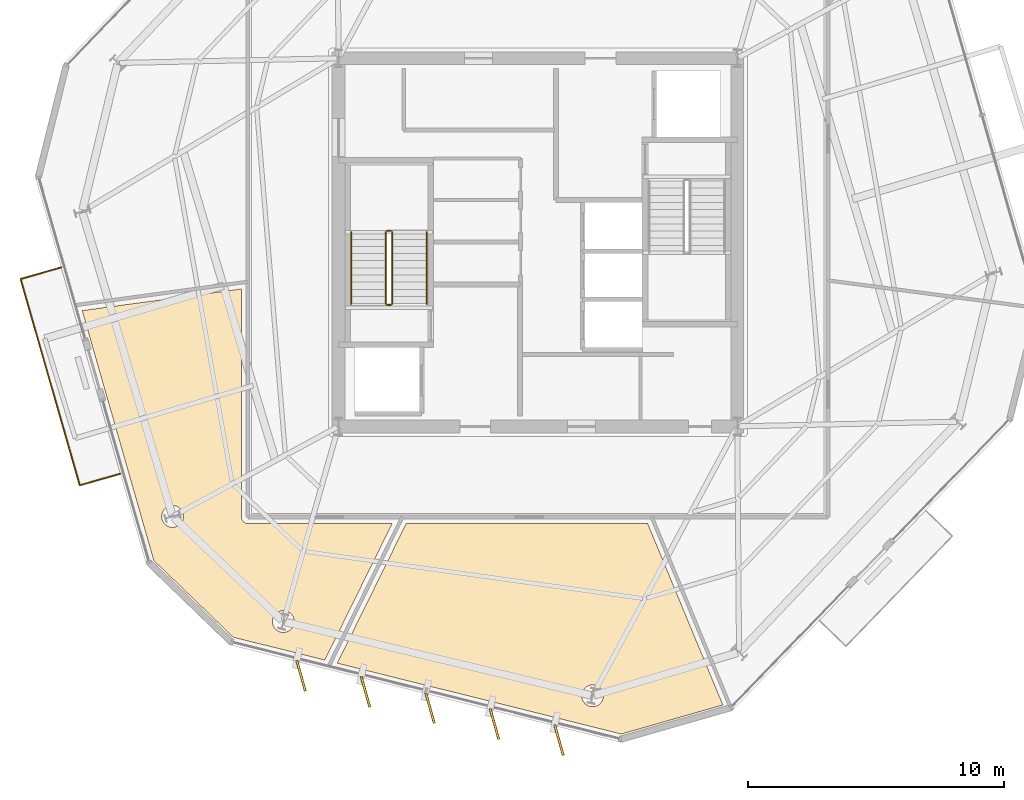
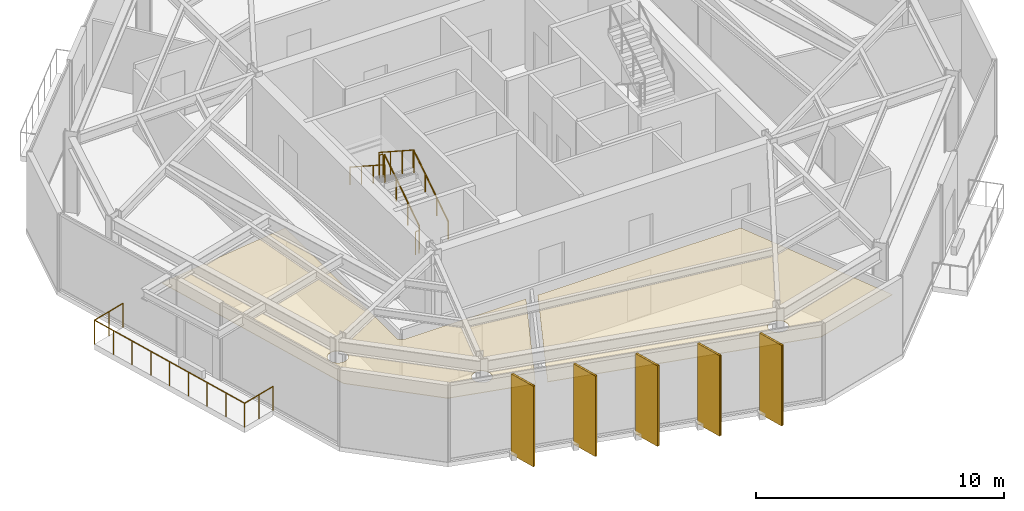
# One storey, part 9 of 11: 7 coverings, 7 railings, 5 shading devices.
"""IFC4 building model written with IfcOpenShell, lengths in metres."""

from ifc_helpers import new_model, si_unit, direction, frame, origin, origin_2d, place, context, subcontext, project, spatial, polyline, rectangle, circle, outline, extrude, material, layer, layer_set, type_object, element, save


model = new_model("IFC4")

# Units and contexts
model_context = context("Model", 3, precision=1e-05, world=origin(), true_north=direction((0.0, 1.0)))
body_context = subcontext(model_context, "Body", "Model", "MODEL_VIEW")
ifc_project = project(units=[si_unit("LENGTHUNIT", "METRE"), si_unit("AREAUNIT", "SQUARE_METRE"), si_unit("VOLUMEUNIT", "CUBIC_METRE"), si_unit("PLANEANGLEUNIT", "RADIAN"), si_unit("MASSUNIT", "GRAM", prefix="KILO")], contexts=[model_context])

# Site, building, storey
site_placement = place(None, origin())
site = spatial("IfcSite", under=ifc_project, at=site_placement, CompositionType="ELEMENT")
building_placement = place(site_placement, origin())
building = spatial("IfcBuilding", under=site, at=building_placement, Name="Kranzbogen Civic Tower", CompositionType="ELEMENT")
storey_placement = place(building_placement, frame((0.0, 0.0, 208.800048828125)))
storey = spatial("IfcBuildingStorey", under=building, at=storey_placement, Name="L50", CompositionType="ELEMENT", Elevation=208.800048828125)

# Coverings
ifc_material_1 = material(Name="Pale Anodised Aluminium", Category="aluminium")
ifc_layer_1 = layer(ifc_material_1, 0.02490234375, Name="Pale Anodised Aluminium")
ifc_layer_set_1 = layer_set([ifc_layer_1], Name="Pale Anodised Aluminium")
covering_type_1 = type_object("IfcCoveringType", Name="Anodised Aluminium Vertical Fin Cladding 25 mm", PredefinedType="CLADDING", material=ifc_layer_set_1)
for number, where, z_axis, x_axis, name in (
    (1, (15.73193359375, 8.044921875, -0.14013671875), (0.0, 0.0, 1.0), (0.268734901722, -0.963214177946, 0.0), "L50 vertical fin pale-metal cladding F4-1"),
    (2, (18.25390625, 7.416015625, -0.14013671875), (0.0, 0.0, 1.0), (0.268734901722, -0.963214177946, 0.0), "L50 vertical fin pale-metal cladding F4-2"),
    (3, (20.777099609375, 6.787109375, -0.14013671875), (0.0, 0.0, 1.0), (0.268734901722, -0.963214177946, 0.0), "L50 vertical fin pale-metal cladding F4-3"),
    (4, (23.300048828125, 6.157958984375, -0.14013671875), (0.0, 0.0, 1.0), (0.268734901722, -0.963214177946, 0.0), "L50 vertical fin pale-metal cladding F4-4"),
    (5, (25.822998046875, 5.529052734375, -0.14013671875), (0.0, 0.0, 1.0), (0.268734901722, -0.963214177946, 0.0), "L50 vertical fin pale-metal cladding F4-5"),
):
    element("IfcCovering", number, at=place(storey_placement, frame(where, z_axis=z_axis, x_axis=x_axis)), inside=storey, type_object=covering_type_1, Name=name, PredefinedType="CLADDING", context=body_context, shape_type="SweptSolid", body=[
        extrude(rectangle(XDim=1.25, YDim=0.10009765625, at=origin_2d()), origin(), (0.0, 0.0, 1.0), 3.9599609375),
    ])

# Shading devices
ifc_material_2 = material(Name="Anodised Bronze Aluminium", Category="aluminium")
shading_device_type = type_object("IfcShadingDeviceType", Name="Anodised Bronze Vertical Facade Fin 1250x80", PredefinedType="USERDEFINED", material=ifc_material_2)
for number, where, z_axis, x_axis, name in (
    (6, (15.73193359375, 8.044921875, -0.14013671875), (0.0, 0.0, 1.0), (0.268734901722, -0.963214177946, 0.0), "L50 vertical exterior shading fin F4-1"),
    (7, (18.25390625, 7.416015625, -0.14013671875), (0.0, 0.0, 1.0), (0.268734901722, -0.963214177946, 0.0), "L50 vertical exterior shading fin F4-2"),
    (8, (20.777099609375, 6.787109375, -0.14013671875), (0.0, 0.0, 1.0), (0.268734901722, -0.963214177946, 0.0), "L50 vertical exterior shading fin F4-3"),
    (9, (23.300048828125, 6.157958984375, -0.14013671875), (0.0, 0.0, 1.0), (0.268734901722, -0.963214177946, 0.0), "L50 vertical exterior shading fin F4-4"),
    (10, (25.822998046875, 5.529052734375, -0.14013671875), (0.0, 0.0, 1.0), (0.268734901722, -0.963214177946, 0.0), "L50 vertical exterior shading fin F4-5"),
):
    element("IfcShadingDevice", number, at=place(storey_placement, frame(where, z_axis=z_axis, x_axis=x_axis)), inside=storey, type_object=shading_device_type, Name=name, ObjectType="FIN", PredefinedType="USERDEFINED", context=body_context, shape_type="SweptSolid", body=[
        extrude(rectangle(XDim=1.25, YDim=0.080078125, at=origin_2d()), origin(), (0.0, 0.0, 1.0), 3.9599609375),
    ])

# Railings
railing_type_1 = type_object("IfcRailingType", Name="Cantilevered Balcony Glass and Bronze Balustrade 1200", PredefinedType="BALUSTRADE", material=ifc_material_2)
railing_1_placement = place(storey_placement, frame((6.346923828125, 24.02099609375, 0.0)))
element("IfcRailing", 11, at=railing_1_placement, inside=storey, type_object=railing_type_1, Name="L50 exterior terrace balustrade L50-ST", PredefinedType="BALUSTRADE", context=body_context, shape_type="SweptSolid", body=[
    extrude(circle(Radius=0.02392578125, at=origin_2d()), frame((0.0, 0.0, 1.17578125), z_axis=(-0.96121063429, -0.275815366736, 0.0), x_axis=(0.275815366736, -0.96121063429, 0.0)), (0.0, 0.0, 1.0), 1.64990234375),
    extrude(circle(Radius=0.02392578125, at=origin_2d()), frame((-1.5859375, -0.455078125, 1.17578125), z_axis=(0.275688281555, -0.961247091758, 0.0), x_axis=(0.961247091758, 0.275688281555, 0.0)), (0.0, 0.0, 1.0), 8.400390625),
    extrude(circle(Radius=0.02392578125, at=origin_2d()), frame((0.72998046875, -8.530029296875, 1.17578125), z_axis=(0.961221888547, 0.275776142874, 0.0), x_axis=(-0.275776142874, 0.961221888547, 0.0)), (0.0, 0.0, 1.0), 1.650146484375),
    extrude(circle(Radius=0.02099609375, at=origin_2d()), origin(), (0.0, 0.0, 1.0), 1.15185546875),
    extrude(circle(Radius=0.02099609375, at=origin_2d()), frame((-0.79296875, -0.2275390625, 0.0)), (0.0, 0.0, 1.0), 1.15185546875),
    extrude(circle(Radius=0.02099609375, at=origin_2d()), frame((-1.5859375, -0.455078125, 0.0)), (0.0, 0.0, 1.0), 1.15185546875),
    extrude(circle(Radius=0.02099609375, at=origin_2d()), frame((-1.29638671875, -1.46435546875, 0.0)), (0.0, 0.0, 1.0), 1.15185546875),
    extrude(circle(Radius=0.02099609375, at=origin_2d()), frame((-1.0068359375, -2.473876953125, 0.0)), (0.0, 0.0, 1.0), 1.15185546875),
    extrude(circle(Radius=0.02099609375, at=origin_2d()), frame((-0.717529296875, -3.483154296875, 0.0)), (0.0, 0.0, 1.0), 1.15185546875),
    extrude(circle(Radius=0.02099609375, at=origin_2d()), frame((-0.427978515625, -4.49267578125, 0.0)), (0.0, 0.0, 1.0), 1.15185546875),
    extrude(circle(Radius=0.02099609375, at=origin_2d()), frame((-0.138427734375, -5.501953125, 0.0)), (0.0, 0.0, 1.0), 1.15185546875),
    extrude(circle(Radius=0.02099609375, at=origin_2d()), frame((0.15087890625, -6.51123046875, 0.0)), (0.0, 0.0, 1.0), 1.15185546875),
    extrude(circle(Radius=0.02099609375, at=origin_2d()), frame((0.4404296875, -7.520751953125, 0.0)), (0.0, 0.0, 1.0), 1.15185546875),
    extrude(circle(Radius=0.02099609375, at=origin_2d()), frame((0.72998046875, -8.530029296875, 0.0)), (0.0, 0.0, 1.0), 1.15185546875),
    extrude(circle(Radius=0.02099609375, at=origin_2d()), frame((1.52294921875, -8.302490234375, 0.0)), (0.0, 0.0, 1.0), 1.15185546875),
    extrude(circle(Radius=0.02099609375, at=origin_2d()), frame((2.316162109375, -8.074951171875, 0.0)), (0.0, 0.0, 1.0), 1.15185546875),
])
ifc_material_3 = material(Name="Steel S355", Category="steel")
railing_type_2 = type_object("IfcRailingType", Name="Internal Stair and Void Steel Guardrail 1150", PredefinedType="GUARDRAIL", material=ifc_material_3)
railing_2_placement = place(storey_placement, frame((19.300048828125, 22.60009765625, 0.181884765625)))
element("IfcRailing", 12, at=railing_2_placement, inside=storey, type_object=railing_type_2, Name="L50 ST-T1 stair guard 1", PredefinedType="GUARDRAIL", context=body_context, shape_type="SweptSolid", body=[
    extrude(circle(Radius=0.02392578125, at=origin_2d()), frame((0.0, 0.0, 1.1259765625), z_axis=(0.0, 0.83868413941, 0.544618136222), x_axis=(-1.0, 0.0, 0.0)), (0.0, 0.0, 1.0), 3.33837890625),
    extrude(circle(Radius=0.02099609375, at=origin_2d()), origin(), (0.0, 0.0, 1.0), 1.101806640625),
    extrude(circle(Radius=0.02099609375, at=origin_2d()), frame((0.0, 0.933349609375, 0.60595703125)), (0.0, 0.0, 1.0), 1.101806640625),
    extrude(circle(Radius=0.02099609375, at=origin_2d()), frame((0.0, 1.866455078125, 1.212158203125)), (0.0, 0.0, 1.0), 1.101806640625),
    extrude(circle(Radius=0.02099609375, at=origin_2d()), frame((0.0, 2.7998046875, 1.818115234375)), (0.0, 0.0, 1.0), 1.101806640625),
])
railing_3_placement = place(storey_placement, frame((19.25, 25.449951171875, 2.0)))
element("IfcRailing", 13, at=railing_3_placement, inside=storey, type_object=railing_type_2, Name="L50 ST-T1 stair guard 2", PredefinedType="GUARDRAIL", context=body_context, shape_type="SweptSolid", body=[
    extrude(circle(Radius=0.02392578125, at=origin_2d()), frame((0.0, 0.0, 1.1259765625), z_axis=(-1.0, 0.0, 0.0), x_axis=(0.0, -1.0, 0.0)), (0.0, 0.0, 1.0), 0.14990234375),
    extrude(circle(Radius=0.02099609375, at=origin_2d()), origin(), (0.0, 0.0, 1.0), 1.101806640625),
    extrude(circle(Radius=0.02099609375, at=origin_2d()), frame((-0.14990234375, 0.0, 0.0)), (0.0, 0.0, 1.0), 1.101806640625),
])
railing_4_placement = place(storey_placement, frame((19.050048828125, 25.39990234375, 2.181884765625)))
element("IfcRailing", 14, at=railing_4_placement, inside=storey, type_object=railing_type_2, Name="L50 ST-T1 stair guard 3", PredefinedType="GUARDRAIL", context=body_context, shape_type="SweptSolid", body=[
    extrude(circle(Radius=0.02392578125, at=origin_2d()), frame((0.0, 0.0, 1.1259765625), z_axis=(0.0, -0.83868413941, 0.544618136222), x_axis=(1.0, 0.0, 0.0)), (0.0, 0.0, 1.0), 3.33837890625),
    extrude(circle(Radius=0.02099609375, at=origin_2d()), origin(), (0.0, 0.0, 1.0), 1.101806640625),
    extrude(circle(Radius=0.02099609375, at=origin_2d()), frame((0.0, -0.933349609375, 0.60595703125)), (0.0, 0.0, 1.0), 1.101806640625),
    extrude(circle(Radius=0.02099609375, at=origin_2d()), frame((0.0, -1.866455078125, 1.212158203125)), (0.0, 0.0, 1.0), 1.101806640625),
    extrude(circle(Radius=0.02099609375, at=origin_2d()), frame((0.0, -2.7998046875, 1.818115234375)), (0.0, 0.0, 1.0), 1.101806640625),
])
railing_5_placement = place(storey_placement, frame((19.25, 22.550048828125, 0.0)))
element("IfcRailing", 15, at=railing_5_placement, inside=storey, type_object=railing_type_2, Name="L50 ST-T1 stair guard 4", PredefinedType="GUARDRAIL", context=body_context, shape_type="SweptSolid", body=[
    extrude(circle(Radius=0.02392578125, at=origin_2d()), frame((0.0, 0.0, 1.1259765625), z_axis=(-1.0, 0.0, 0.0), x_axis=(0.0, -1.0, 0.0)), (0.0, 0.0, 1.0), 0.14990234375),
    extrude(circle(Radius=0.02099609375, at=origin_2d()), origin(), (0.0, 0.0, 1.0), 1.101806640625),
    extrude(circle(Radius=0.02099609375, at=origin_2d()), frame((-0.14990234375, 0.0, 0.0)), (0.0, 0.0, 1.0), 1.101806640625),
])

# Coverings
ifc_material_4 = material(Name="Perforated Acoustic Gypsum Ceiling")
ifc_layer_2 = layer(ifc_material_4, 0.02490234375, Name="Perforated Acoustic Gypsum Ceiling")
ifc_layer_set_2 = layer_set([ifc_layer_2], Name="Perforated Acoustic Gypsum Ceiling")
covering_type_2 = type_object("IfcCoveringType", Name="Perforated Acoustic Mineral Ceiling Tile 25 mm", PredefinedType="CEILING", material=ifc_layer_set_2)
covering_1_placement = place(storey_placement, frame((0.0, 0.0, 2.89990234375)))
element("IfcCovering", 16, at=covering_1_placement, inside=storey, type_object=covering_type_2, Name="L50 Delegates Sitting Lounge acoustic ceiling", PredefinedType="CEILING", context=body_context, shape_type="SweptSolid", body=[
    extrude(outline(polyline([(9.972900390625, 12.552978515625), (7.1708984375, 22.3291015625), (13.405029296875, 23.177001953125), (13.405029296875, 14.25), (13.405029296875, 14.240966796875), (13.406005859375, 14.235107421875), (13.406982421875, 14.217041015625), (13.407958984375, 14.2109375), (13.412109375, 14.194091796875), (13.4130859375, 14.18701171875), (13.41796875, 14.169921875), (13.419921875, 14.1640625), (13.427001953125, 14.14794921875), (13.429931640625, 14.14208984375), (13.43798828125, 14.126953125), (13.44189453125, 14.12109375), (13.450927734375, 14.10693359375), (13.455078125, 14.10205078125), (13.466064453125, 14.087890625), (13.470947265625, 14.0830078125), (13.48291015625, 14.071044921875), (13.488037109375, 14.06591796875), (13.501953125, 14.054931640625), (13.507080078125, 14.051025390625), (13.52099609375, 14.0419921875), (13.527099609375, 14.0380859375), (13.5419921875, 14.030029296875), (13.548095703125, 14.027099609375), (13.56396484375, 14.02001953125), (13.570068359375, 14.01806640625), (13.5869140625, 14.012939453125), (13.593994140625, 14.011962890625), (13.611083984375, 14.008056640625), (13.616943359375, 14.007080078125), (13.635009765625, 14.006103515625), (13.64111328125, 14.0048828125), (13.64990234375, 14.0048828125), (19.302001953125, 14.0048828125), (16.6630859375, 8.656005859375), (13.0849609375, 9.548095703125), (9.972900390625, 12.552978515625)]), holes=[polyline([(15.431884765625, 10.001953125), (15.4140625, 9.964111328125), (15.39306640625, 9.928955078125), (15.367919921875, 9.89501953125), (15.340087890625, 9.864013671875), (15.30908203125, 9.8359375), (15.27490234375, 9.81103515625), (15.239990234375, 9.7900390625), (15.201904296875, 9.77197265625), (15.1630859375, 9.758056640625), (15.1220703125, 9.748046875), (15.0810546875, 9.741943359375), (15.0390625, 9.739990234375), (14.9970703125, 9.741943359375), (14.9560546875, 9.748046875), (14.9150390625, 9.758056640625), (14.8759765625, 9.77197265625), (14.837890625, 9.7900390625), (14.802978515625, 9.81103515625), (14.76904296875, 9.8359375), (14.738037109375, 9.864013671875), (14.7099609375, 9.89501953125), (14.68505859375, 9.928955078125), (14.6640625, 9.964111328125), (14.64599609375, 10.001953125), (14.632080078125, 10.041015625), (14.6220703125, 10.08203125), (14.615966796875, 10.123046875), (14.614013671875, 10.1650390625), (14.615966796875, 10.20703125), (14.6220703125, 10.248046875), (14.632080078125, 10.2890625), (14.64599609375, 10.327880859375), (14.6640625, 10.365966796875), (14.68505859375, 10.40087890625), (14.7099609375, 10.43505859375), (14.738037109375, 10.466064453125), (14.76904296875, 10.493896484375), (14.802978515625, 10.51904296875), (14.837890625, 10.5400390625), (14.8759765625, 10.55810546875), (14.9150390625, 10.572021484375), (14.9560546875, 10.58203125), (14.9970703125, 10.587890625), (15.0390625, 10.590087890625), (15.0810546875, 10.587890625), (15.1220703125, 10.58203125), (15.1630859375, 10.572021484375), (15.201904296875, 10.55810546875), (15.239990234375, 10.5400390625), (15.27490234375, 10.51904296875), (15.30908203125, 10.493896484375), (15.340087890625, 10.466064453125), (15.367919921875, 10.43505859375), (15.39306640625, 10.40087890625), (15.4140625, 10.365966796875), (15.431884765625, 10.327880859375), (15.446044921875, 10.2890625), (15.4560546875, 10.248046875), (15.4619140625, 10.20703125), (15.464111328125, 10.1650390625), (15.4619140625, 10.123046875), (15.4560546875, 10.08203125), (15.446044921875, 10.041015625), (15.431884765625, 10.001953125)]), polyline([(11.10009765625, 14.113037109375), (11.08203125, 14.074951171875), (11.06103515625, 14.0400390625), (11.035888671875, 14.006103515625), (11.008056640625, 13.97509765625), (10.97705078125, 13.947021484375), (10.943115234375, 13.922119140625), (10.907958984375, 13.90087890625), (10.8701171875, 13.883056640625), (10.8310546875, 13.868896484375), (10.7900390625, 13.85888671875), (10.7490234375, 13.85302734375), (10.70703125, 13.85107421875), (10.6650390625, 13.85302734375), (10.6240234375, 13.85888671875), (10.5830078125, 13.868896484375), (10.5439453125, 13.883056640625), (10.506103515625, 13.90087890625), (10.470947265625, 13.922119140625), (10.43701171875, 13.947021484375), (10.406005859375, 13.97509765625), (10.3779296875, 14.006103515625), (10.35302734375, 14.0400390625), (10.33203125, 14.074951171875), (10.31396484375, 14.113037109375), (10.300048828125, 14.152099609375), (10.2900390625, 14.193115234375), (10.283935546875, 14.23388671875), (10.281982421875, 14.27587890625), (10.283935546875, 14.318115234375), (10.2900390625, 14.35888671875), (10.300048828125, 14.39990234375), (10.31396484375, 14.43896484375), (10.33203125, 14.47705078125), (10.35302734375, 14.511962890625), (10.3779296875, 14.5458984375), (10.406005859375, 14.576904296875), (10.43701171875, 14.60498046875), (10.470947265625, 14.6298828125), (10.506103515625, 14.65087890625), (10.5439453125, 14.6689453125), (10.5830078125, 14.68310546875), (10.6240234375, 14.693115234375), (10.6650390625, 14.698974609375), (10.70703125, 14.700927734375), (10.7490234375, 14.698974609375), (10.7900390625, 14.693115234375), (10.8310546875, 14.68310546875), (10.8701171875, 14.6689453125), (10.907958984375, 14.65087890625), (10.943115234375, 14.6298828125), (10.97705078125, 14.60498046875), (11.008056640625, 14.576904296875), (11.035888671875, 14.5458984375), (11.06103515625, 14.511962890625), (11.08203125, 14.47705078125), (11.10009765625, 14.43896484375), (11.114013671875, 14.39990234375), (11.1240234375, 14.35888671875), (11.1298828125, 14.318115234375), (11.132080078125, 14.27587890625), (11.1298828125, 14.23388671875), (11.1240234375, 14.193115234375), (11.114013671875, 14.152099609375), (11.10009765625, 14.113037109375)])]), origin(), (0.0, 0.0, 1.0), 0.025146484375),
])
covering_2_placement = place(storey_placement, frame((0.0, 0.0, 2.89990234375)))
element("IfcCovering", 17, at=covering_2_placement, inside=storey, type_object=covering_type_2, Name="L50 Executive Research Study acoustic ceiling", PredefinedType="CEILING", context=body_context, shape_type="SweptSolid", body=[
    extrude(outline(polyline([(17.14990234375, 8.534912109375), (19.84912109375, 14.0048828125), (29.291015625, 14.0048828125), (32.235107421875, 6.90087890625), (28.26611328125, 5.762939453125), (17.14990234375, 8.534912109375)]), holes=[polyline([(27.532958984375, 7.096923828125), (27.514892578125, 7.05908203125), (27.493896484375, 7.02392578125), (27.468994140625, 6.989990234375), (27.44091796875, 6.958984375), (27.409912109375, 6.930908203125), (27.3759765625, 6.906005859375), (27.341064453125, 6.885009765625), (27.302978515625, 6.866943359375), (27.263916015625, 6.85302734375), (27.222900390625, 6.843017578125), (27.181884765625, 6.8369140625), (27.139892578125, 6.8349609375), (27.097900390625, 6.8369140625), (27.056884765625, 6.843017578125), (27.01611328125, 6.85302734375), (26.97705078125, 6.866943359375), (26.93896484375, 6.885009765625), (26.904052734375, 6.906005859375), (26.8701171875, 6.930908203125), (26.839111328125, 6.958984375), (26.81103515625, 6.989990234375), (26.785888671875, 7.02392578125), (26.764892578125, 7.05908203125), (26.7470703125, 7.096923828125), (26.73291015625, 7.135986328125), (26.722900390625, 7.177001953125), (26.717041015625, 7.218017578125), (26.715087890625, 7.260009765625), (26.717041015625, 7.302001953125), (26.722900390625, 7.343017578125), (26.73291015625, 7.384033203125), (26.7470703125, 7.423095703125), (26.764892578125, 7.4609375), (26.785888671875, 7.49609375), (26.81103515625, 7.530029296875), (26.839111328125, 7.56103515625), (26.8701171875, 7.589111328125), (26.904052734375, 7.614013671875), (26.93896484375, 7.635009765625), (26.97705078125, 7.653076171875), (27.01611328125, 7.6669921875), (27.056884765625, 7.677001953125), (27.097900390625, 7.68310546875), (27.139892578125, 7.68505859375), (27.181884765625, 7.68310546875), (27.222900390625, 7.677001953125), (27.263916015625, 7.6669921875), (27.302978515625, 7.653076171875), (27.341064453125, 7.635009765625), (27.3759765625, 7.614013671875), (27.409912109375, 7.589111328125), (27.44091796875, 7.56103515625), (27.468994140625, 7.530029296875), (27.493896484375, 7.49609375), (27.514892578125, 7.4609375), (27.532958984375, 7.423095703125), (27.547119140625, 7.384033203125), (27.556884765625, 7.343017578125), (27.56298828125, 7.302001953125), (27.56494140625, 7.260009765625), (27.56298828125, 7.218017578125), (27.556884765625, 7.177001953125), (27.547119140625, 7.135986328125), (27.532958984375, 7.096923828125)])]), origin(), (0.0, 0.0, 1.0), 0.025146484375),
])

# Railings
railing_type_3 = type_object("IfcRailingType", Name="Tubular Stainless Stair Wall Handrail 900", PredefinedType="HANDRAIL", material=ifc_material_1)
railing_6_placement = place(storey_placement, frame((20.64990234375, 22.60009765625, 0.181884765625)))
element("IfcRailing", 18, at=railing_6_placement, inside=storey, type_object=railing_type_3, Name="L50 ST-T1 stair handrail 1", PredefinedType="HANDRAIL", context=body_context, shape_type="SweptSolid", body=[
    extrude(circle(Radius=0.02392578125, at=origin_2d()), frame((0.0, 0.0, 0.8759765625), z_axis=(0.0, 0.83868413941, 0.544618136222), x_axis=(-1.0, 0.0, 0.0)), (0.0, 0.0, 1.0), 3.33837890625),
    extrude(circle(Radius=0.02099609375, at=origin_2d()), origin(), (0.0, 0.0, 1.0), 0.851806640625),
    extrude(circle(Radius=0.02099609375, at=origin_2d()), frame((0.0, 0.933349609375, 0.60595703125)), (0.0, 0.0, 1.0), 0.851806640625),
    extrude(circle(Radius=0.02099609375, at=origin_2d()), frame((0.0, 1.866455078125, 1.212158203125)), (0.0, 0.0, 1.0), 0.851806640625),
    extrude(circle(Radius=0.02099609375, at=origin_2d()), frame((0.0, 2.7998046875, 1.818115234375)), (0.0, 0.0, 1.0), 0.851806640625),
])
railing_7_placement = place(storey_placement, frame((17.699951171875, 25.39990234375, 2.181884765625)))
element("IfcRailing", 19, at=railing_7_placement, inside=storey, type_object=railing_type_3, Name="L50 ST-T1 stair handrail 2", PredefinedType="HANDRAIL", context=body_context, shape_type="SweptSolid", body=[
    extrude(circle(Radius=0.02392578125, at=origin_2d()), frame((0.0, 0.0, 0.8759765625), z_axis=(0.0, -0.83868413941, 0.544618136222), x_axis=(1.0, 0.0, 0.0)), (0.0, 0.0, 1.0), 3.33837890625),
    extrude(circle(Radius=0.02099609375, at=origin_2d()), origin(), (0.0, 0.0, 1.0), 0.851806640625),
    extrude(circle(Radius=0.02099609375, at=origin_2d()), frame((0.0, -0.933349609375, 0.60595703125)), (0.0, 0.0, 1.0), 0.851806640625),
    extrude(circle(Radius=0.02099609375, at=origin_2d()), frame((0.0, -1.866455078125, 1.212158203125)), (0.0, 0.0, 1.0), 0.851806640625),
    extrude(circle(Radius=0.02099609375, at=origin_2d()), frame((0.0, -2.7998046875, 1.818115234375)), (0.0, 0.0, 1.0), 0.851806640625),
])

save(model, "model.ifc")
